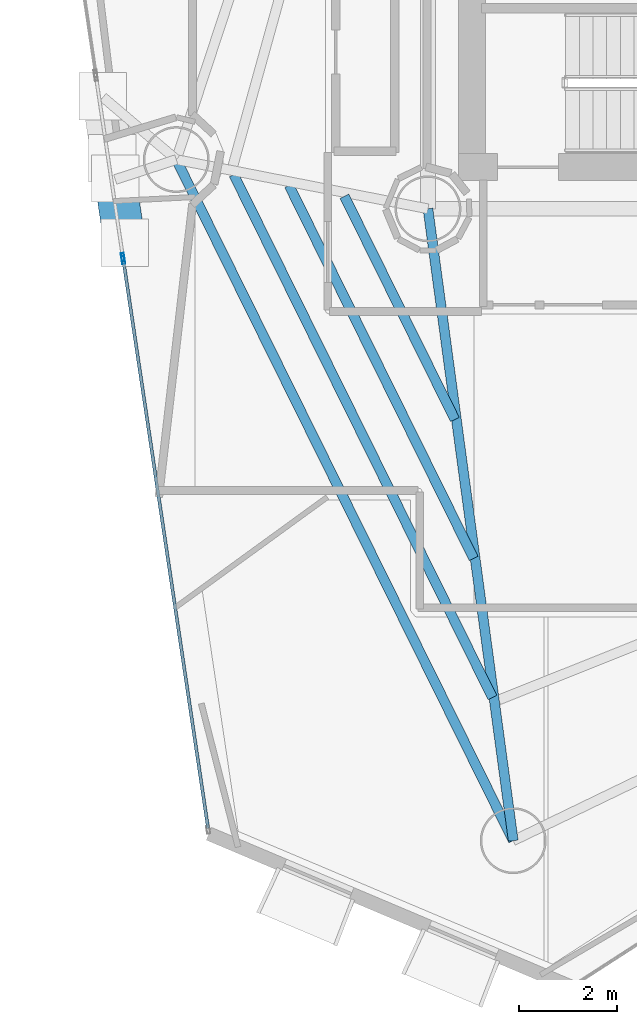
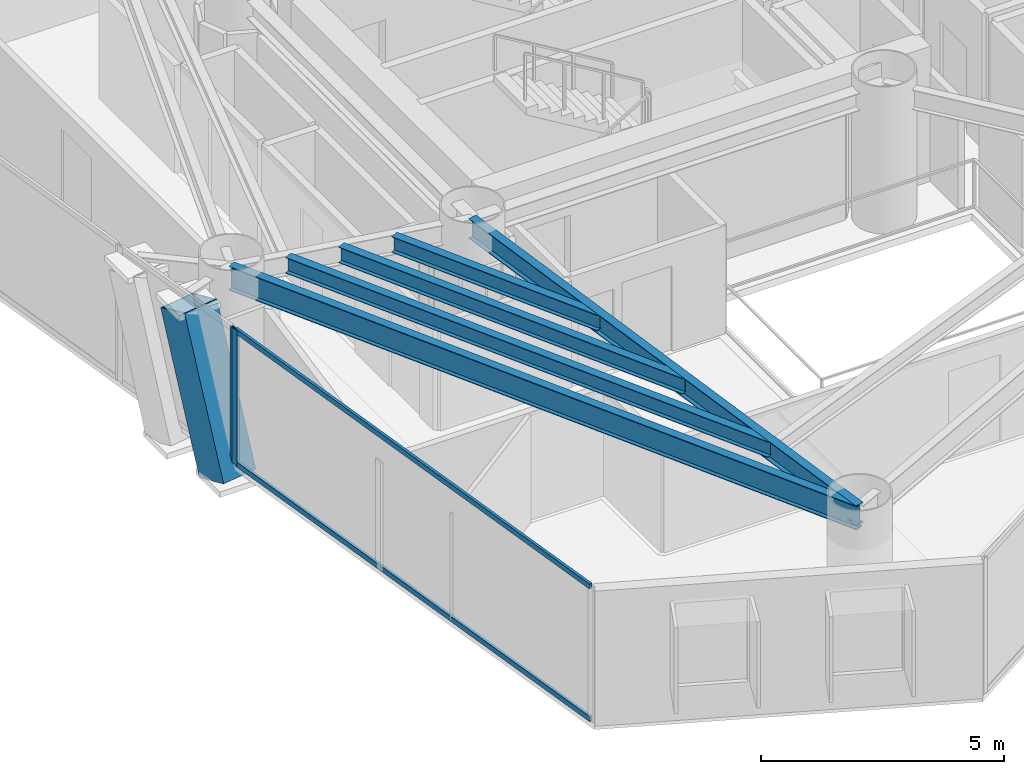
# One storey, part 3 of 22: 5 beams, 5 members, 2 elements without a shape of their own.
"""IFC4 building model written with IfcOpenShell, lengths in metres."""

from ifc_helpers import new_model, si_unit, direction, frame, origin, origin_2d, place, context, subcontext, project, spatial, hollow_rectangle, i_section, extrude, material, layer, layer_set, material_profile, profile_set, type_object, element, aggregate, save


model = new_model("IFC4")

# Units and contexts
model_context = context("Model", 3, precision=1e-05, world=origin(), true_north=direction((0.0, 1.0)))
body_context = subcontext(model_context, "Body", "Model", "MODEL_VIEW")
ifc_project = project(units=[si_unit("LENGTHUNIT", "METRE"), si_unit("AREAUNIT", "SQUARE_METRE"), si_unit("VOLUMEUNIT", "CUBIC_METRE"), si_unit("PLANEANGLEUNIT", "RADIAN"), si_unit("MASSUNIT", "GRAM", prefix="KILO")], contexts=[model_context])

# Site, building, storey
site_placement = place(None, origin())
site = spatial("IfcSite", under=ifc_project, at=site_placement, CompositionType="ELEMENT")
building_placement = place(site_placement, origin())
building = spatial("IfcBuilding", under=site, at=building_placement, Name="Qianvela Tower", CompositionType="ELEMENT")
storey_placement = place(building_placement, frame((0.0, 0.0, 180.89990234375)))
storey = spatial("IfcBuildingStorey", under=building, at=storey_placement, Name="L46", CompositionType="ELEMENT", Elevation=180.89990234375)

# Beams
ifc_material_1 = material(Name="Steel Q355B", Category="steel")
ifc_material_profile_1 = material_profile(ifc_material_1, i_section(OverallWidth=0.199951171875, OverallDepth=0.39990234375, WebThickness=0.008056640625, FlangeThickness=0.012939453125, at=origin_2d()), Name="HN400x200x8x13")
ifc_profile_set_1 = profile_set([ifc_material_profile_1], Name="Steel Q355B")
beam_type_1 = type_object("IfcBeamType", Name="BM-HN400-JOIST", PredefinedType="JOIST", material=ifc_profile_set_1)
beam_1_placement = place(storey_placement, frame((26.89013671875, 24.10693359375, 3.197998046875), z_axis=(0.443417880161, -0.896315002415, 0.0), x_axis=(0.896315002415, 0.443417880161, 0.0)))
element("IfcBeam", 1, at=beam_1_placement, inside=storey, type_object=beam_type_1, Name="L46 Secondary Composite Floor Joist 4.1", PredefinedType="JOIST", context=body_context, shape_type="SweptSolid", body=[
    extrude(i_section(OverallWidth=0.199951171875, OverallDepth=0.39990234375, WebThickness=0.008056640625, FlangeThickness=0.012939453125, at=origin_2d()), origin(), (0.0, 0.0, 1.0), 5.099609375),
])
beam_2_placement = place(storey_placement, frame((25.75634765625, 24.3291015625, 3.197998046875), z_axis=(0.443417285282, -0.896315296708, 0.0), x_axis=(0.896315296708, 0.443417285282, 0.0)))
element("IfcBeam", 2, at=beam_2_placement, inside=storey, type_object=beam_type_1, Name="L46 Secondary Composite Floor Joist 4.2", PredefinedType="JOIST", context=body_context, shape_type="SweptSolid", body=[
    extrude(i_section(OverallWidth=0.199951171875, OverallDepth=0.39990234375, WebThickness=0.008056640625, FlangeThickness=0.012939453125, at=origin_2d()), origin(), (0.0, 0.0, 1.0), 8.523681640625),
])
beam_3_placement = place(storey_placement, frame((24.622314453125, 24.551025390625, 3.197998046875), z_axis=(0.443417031377, -0.896315422318, 0.0), x_axis=(0.896315422318, 0.443417031377, 0.0)))
element("IfcBeam", 3, at=beam_3_placement, inside=storey, type_object=beam_type_1, Name="L46 Secondary Composite Floor Joist 4.3", PredefinedType="JOIST", context=body_context, shape_type="SweptSolid", body=[
    extrude(i_section(OverallWidth=0.199951171875, OverallDepth=0.39990234375, WebThickness=0.008056640625, FlangeThickness=0.012939453125, at=origin_2d()), origin(), (0.0, 0.0, 1.0), 11.94775390625),
])
ifc_material_2 = material(Name="Steel Q355B", Category="steel")
ifc_material_profile_2 = material_profile(ifc_material_2, i_section(OverallWidth=0.199951171875, OverallDepth=0.5, WebThickness=0.010009765625, FlangeThickness=0.01611328125, at=origin_2d()), Name="HN500x200x10x16")
ifc_profile_set_2 = profile_set([ifc_material_profile_2], Name="Steel Q355B")
beam_type_2 = type_object("IfcBeamType", Name="BM-HN500-GIRD", PredefinedType="BEAM", material=ifc_profile_set_2)
beam_4_placement = place(storey_placement, frame((28.60009765625, 23.85009765625, 3.148193359375), z_axis=(0.133769024854, -0.991012536747, 0.0), x_axis=(0.991012536747, 0.133769024854, 0.0)))
element("IfcBeam", 4, at=beam_4_placement, inside=storey, type_object=beam_type_2, Name="L46 Radial Primary Floor Girder 5", PredefinedType="BEAM", context=body_context, shape_type="SweptSolid", body=[
    extrude(i_section(OverallWidth=0.199951171875, OverallDepth=0.5, WebThickness=0.010009765625, FlangeThickness=0.01611328125, at=origin_2d()), origin(), (0.0, 0.0, 1.0), 13.05859375),
])
ifc_material_3 = material(Name="Steel Q355B", Category="steel")
ifc_material_profile_3 = material_profile(ifc_material_3, i_section(OverallWidth=0.199951171875, OverallDepth=0.60009765625, WebThickness=0.010986328125, FlangeThickness=0.01708984375, at=origin_2d()), Name="HN600x200x11x17")
ifc_profile_set_3 = profile_set([ifc_material_profile_3], Name="Steel Q355B")
beam_type_3 = type_object("IfcBeamType", Name="BM-HN600-GIRD", PredefinedType="BEAM", material=ifc_profile_set_3)
beam_5_placement = place(storey_placement, frame((23.446044921875, 24.85888671875, 3.09814453125), z_axis=(0.443400805375, -0.896323449315, 0.0), x_axis=(0.896323449315, 0.443400805375, 0.0)))
element("IfcBeam", 5, at=beam_5_placement, inside=storey, type_object=beam_type_3, Name="L46 Perimeter Ring Spandrel Girder 4", PredefinedType="BEAM", context=body_context, shape_type="SweptSolid", body=[
    extrude(i_section(OverallWidth=0.199951171875, OverallDepth=0.60009765625, WebThickness=0.010986328125, FlangeThickness=0.01708984375, at=origin_2d()), origin(), (0.0, 0.0, 1.0), 15.5634765625),
])

# Curtain wall, member
ifc_material_4 = material(Name="Anodised Architectural Aluminium and Insulated Spandrel Panel", Category="aluminium")
ifc_layer_1 = layer(ifc_material_4, 0.179931640625)
ifc_layer_set_1 = layer_set([ifc_layer_1], Name="Anodised Architectural Aluminium and Insulated Spandrel Panel")
curtain_wall_type_1 = type_object("IfcCurtainWallType", Name="CW-BRACEBAY", PredefinedType="USERDEFINED", material=ifc_layer_set_1)
curtain_wall_1_placement = place(storey_placement, origin())
curtain_wall_1 = element("IfcCurtainWall", 6, at=curtain_wall_1_placement, inside=storey, type_object=curtain_wall_type_1, Name="L46 CW-BRACEBAY Curtain Wall 04B", ObjectType="CURTAIN_WALL_SYSTEM", PredefinedType="USERDEFINED")
ifc_material_5 = material(Name="Anodised Architectural Aluminium 6063-T6", Category="aluminium")
ifc_material_profile_4 = material_profile(ifc_material_5, hollow_rectangle(XDim=0.06494140625, YDim=0.159912109375, WallThickness=0.0048828125, at=origin_2d()), Name="ALU-MULL-65x160")
ifc_profile_set_4 = profile_set([ifc_material_profile_4], Name="Anodised Architectural Aluminium 6063-T6")
member_type_1 = type_object("IfcMemberType", Name="CW-BRACEBAY-MULL", PredefinedType="MULLION", material=ifc_profile_set_4)
member_1_placement = place(storey_placement, frame((22.3515625, 22.86669921875, 0.0), z_axis=(0.0, 0.0, 1.0), x_axis=(0.989067181234, 0.147465626524, 0.0)))
member_1 = element("IfcMember", 7, at=member_1_placement, type_object=member_type_1, Name="CW-9 mullion 2", PredefinedType="MULLION", context=body_context, shape_type="SweptSolid", body=[
    extrude(hollow_rectangle(XDim=0.06494140625, YDim=0.159912109375, WallThickness=0.0048828125, at=origin_2d()), origin(), (0.0, 0.0, 1.0), 3.400146484375),
])
aggregate(curtain_wall_1, [member_1])

# Curtain wall, members
ifc_material_6 = material(Name="Anodised Architectural Aluminium and Low-E Glass", Category="aluminium")
ifc_layer_2 = layer(ifc_material_6, 0.169921875)
ifc_layer_set_2 = layer_set([ifc_layer_2], Name="Anodised Architectural Aluminium and Low-E Glass")
curtain_wall_type_2 = type_object("IfcCurtainWallType", Name="CW-COLIV-Z34", PredefinedType="USERDEFINED", material=ifc_layer_set_2)
curtain_wall_2_placement = place(storey_placement, origin())
curtain_wall_2 = element("IfcCurtainWall", 8, at=curtain_wall_2_placement, inside=storey, type_object=curtain_wall_type_2, Name="L46 CW-COLIV-Z34 Curtain Wall 04C", ObjectType="CURTAIN_WALL_SYSTEM", PredefinedType="USERDEFINED")
ifc_material_7 = material(Name="Anodised Architectural Aluminium 6063-T6", Category="aluminium")
ifc_material_profile_5 = material_profile(ifc_material_7, hollow_rectangle(XDim=0.06494140625, YDim=0.159912109375, WallThickness=0.0048828125, at=origin_2d()), Name="ALU-MULL-65x160")
ifc_profile_set_5 = profile_set([ifc_material_profile_5], Name="Anodised Architectural Aluminium 6063-T6")
member_type_2 = type_object("IfcMemberType", Name="CW-COLIV-Z34-MULL", PredefinedType="MULLION", material=ifc_profile_set_5)
member_2_placement = place(storey_placement, frame((22.361083984375, 22.80224609375, 0.0), z_axis=(0.0, 0.0, 1.0), x_axis=(0.989067093574, 0.147466214467, 0.0)))
member_2 = element("IfcMember", 9, at=member_2_placement, type_object=member_type_2, Name="CW-4 mullion 1", PredefinedType="MULLION", context=body_context, shape_type="SweptSolid", body=[
    extrude(hollow_rectangle(XDim=0.06494140625, YDim=0.159912109375, WallThickness=0.0048828125, at=origin_2d()), origin(), (0.0, 0.0, 1.0), 3.400146484375),
])
ifc_material_8 = material(Name="Anodised Architectural Aluminium 6063-T6", Category="aluminium")
ifc_material_profile_6 = material_profile(ifc_material_8, hollow_rectangle(XDim=0.06494140625, YDim=0.1298828125, WallThickness=0.00439453125, at=origin_2d()), Name="ALU-TRAN-65x130")
ifc_profile_set_6 = profile_set([ifc_material_profile_6], Name="Anodised Architectural Aluminium 6063-T6")
member_type_3 = type_object("IfcMemberType", Name="CW-COLIV-Z34-TRAN", PredefinedType="USERDEFINED", material=ifc_profile_set_6)
member_3_placement = place(storey_placement, frame((22.365966796875, 22.770263671875, 0.03271484375), z_axis=(0.147468502519, -0.989066752431, 0.0), x_axis=(0.989066752431, 0.147468502519, 0.0)))
member_3 = element("IfcMember", 10, at=member_3_placement, type_object=member_type_3, Name="CW-4 transom 1.1", ObjectType="TRANSOM", PredefinedType="USERDEFINED", context=body_context, shape_type="SweptSolid", body=[
    extrude(hollow_rectangle(XDim=0.06494140625, YDim=0.1298828125, WallThickness=0.00439453125, at=origin_2d()), origin(), (0.0, 0.0, 1.0), 11.734619140625),
])
member_4_placement = place(storey_placement, frame((22.365966796875, 22.770263671875, 3.36767578125), z_axis=(0.147468502519, -0.989066752431, 0.0), x_axis=(0.989066752431, 0.147468502519, 0.0)))
member_4 = element("IfcMember", 11, at=member_4_placement, type_object=member_type_3, Name="CW-4 transom 1.2", ObjectType="TRANSOM", PredefinedType="USERDEFINED", context=body_context, shape_type="SweptSolid", body=[
    extrude(hollow_rectangle(XDim=0.06494140625, YDim=0.1298828125, WallThickness=0.00439453125, at=origin_2d()), origin(), (0.0, 0.0, 1.0), 11.734619140625),
])
aggregate(curtain_wall_2, [member_2, member_3, member_4])

# Member
ifc_material_9 = material(Name="Steel Q420GJC", Category="steel")
ifc_material_profile_7 = material_profile(ifc_material_9, hollow_rectangle(XDim=0.85009765625, YDim=0.85009765625, WallThickness=0.031982421875, at=origin_2d()), Name="MBOX-850x850x32")
ifc_profile_set_7 = profile_set([ifc_material_profile_7], Name="Steel Q420GJC")
member_type_4 = type_object("IfcMemberType", Name="MBR-MBRACE-850", PredefinedType="BRACE", material=ifc_profile_set_7)
member_5_placement = place(storey_placement, frame((22.38671875, 23.17431640625, -0.48193359375), z_axis=(-0.050041927679, 0.335280915449, 0.940788240365), x_axis=(-0.989044367093, -0.147618562253, 0.0)))
element("IfcMember", 12, at=member_5_placement, inside=storey, type_object=member_type_4, Name="L46 Tier 7 Exterior Mega-Brace F2B", PredefinedType="BRACE", context=body_context, shape_type="SweptSolid", body=[
    extrude(hollow_rectangle(XDim=0.85009765625, YDim=0.85009765625, WallThickness=0.031982421875, at=origin_2d()), origin(), (0.0, 0.0, 1.0), 3.805419921875),
])

save(model, "model.ifc")
